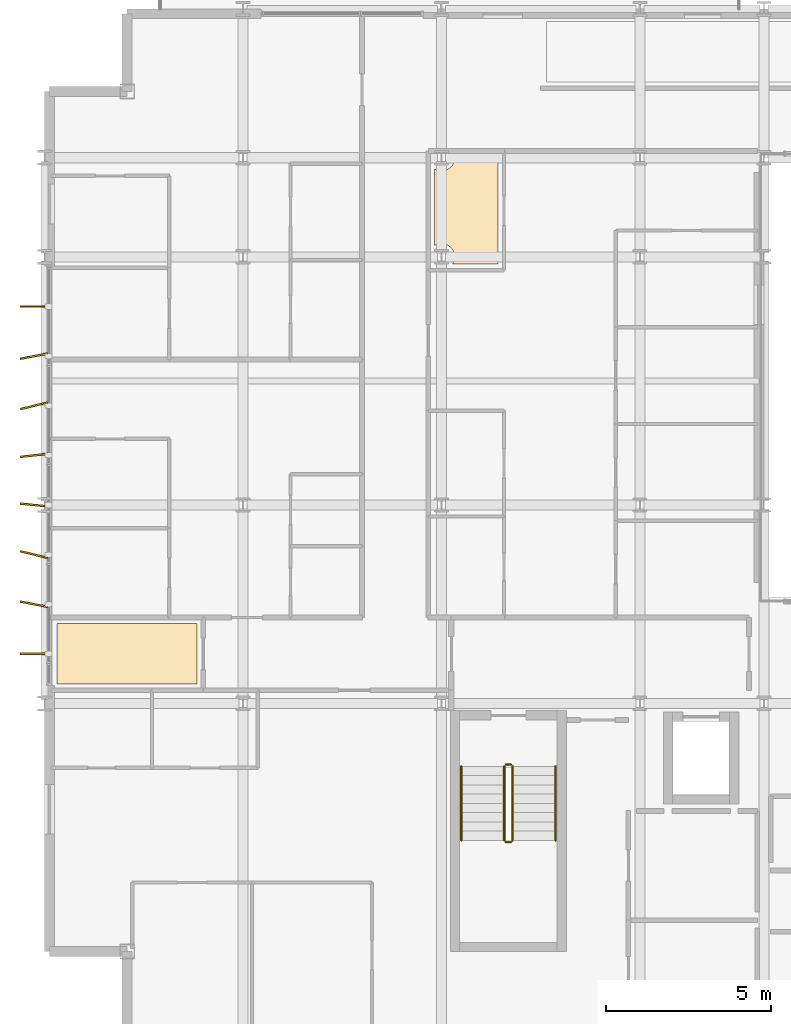
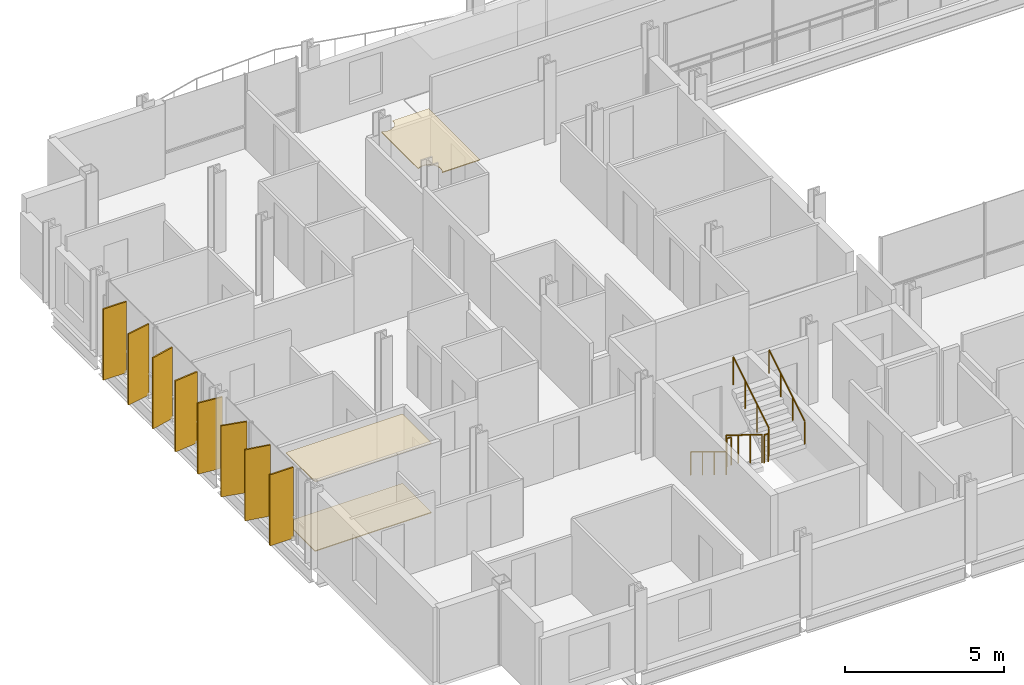
# One storey, part 35 of 38: 8 shading devices, 6 railings, 3 coverings.
"""IFC4 building model written with IfcOpenShell, lengths in metres."""

from ifc_helpers import new_model, si_unit, direction, frame, origin, origin_2d, place, context, subcontext, project, spatial, polyline, rectangle, circle, outline, extrude, material, layer, layer_set, type_object, element, save


model = new_model("IFC4")

# Units and contexts
model_context = context("Model", 3, precision=1e-05, world=origin(), true_north=direction((0.0, 1.0)))
body_context = subcontext(model_context, "Body", "Model", "MODEL_VIEW")
ifc_project = project(units=[si_unit("LENGTHUNIT", "METRE"), si_unit("AREAUNIT", "SQUARE_METRE"), si_unit("VOLUMEUNIT", "CUBIC_METRE"), si_unit("PLANEANGLEUNIT", "RADIAN"), si_unit("MASSUNIT", "GRAM", prefix="KILO")], contexts=[model_context])

# Site, building, storey
site_placement = place(None, origin())
site = spatial("IfcSite", under=ifc_project, at=site_placement, CompositionType="ELEMENT")
building_placement = place(site_placement, origin())
building = spatial("IfcBuilding", under=site, at=building_placement, Name="Brevholm Reach", CompositionType="ELEMENT")
storey_placement = place(building_placement, frame((0.0, 0.0, 65.199951171875)))
storey = spatial("IfcBuildingStorey", under=building, at=storey_placement, Name="L18", CompositionType="ELEMENT", Elevation=65.199951171875)

# Coverings
ifc_material_1 = material(Name="Moisture-Resistant Skimmed Gypsum Plasterboard Ceiling", Category="gypsum")
ifc_layer_1 = layer(ifc_material_1, 0.030029296875)
ifc_layer_set_1 = layer_set([ifc_layer_1], Name="Moisture-Resistant Skimmed Gypsum Plasterboard Ceiling")
covering_type_1 = type_object("IfcCoveringType", Name="COV-CLG-GYP", PredefinedType="CEILING", material=ifc_layer_set_1)
covering_1_placement = place(storey_placement, frame((0.0, 0.0, 2.670166015625)))
element("IfcCovering", 1, at=covering_1_placement, inside=storey, type_object=covering_type_1, Name="L18 Suspended Ceiling L18-33", PredefinedType="CEILING", context=body_context, shape_type="SweptSolid", body=[
    extrude(outline(polyline([(0.3798828125, 12.419921875), (4.615966796875, 12.419921875), (4.615966796875, 10.583984375), (0.3798828125, 10.583984375), (0.3798828125, 12.419921875)])), origin(), (0.0, 0.0, 1.0), 0.02978515625),
])
covering_2_placement = place(storey_placement, frame((0.0, 0.0, 2.670166015625)))
element("IfcCovering", 2, at=covering_2_placement, inside=storey, type_object=covering_type_1, Name="L18 Suspended Ceiling L18-53", PredefinedType="CEILING", context=body_context, shape_type="SweptSolid", body=[
    extrude(outline(polyline([(13.708984375, 23.280029296875), (12.333984375, 23.280029296875), (12.352783203125, 23.311279296875), (12.36962890625, 23.346923828125), (12.3828125, 23.3837890625), (12.392333984375, 23.422119140625), (12.398193359375, 23.460693359375), (12.39990234375, 23.5), (12.398193359375, 23.539306640625), (12.392333984375, 23.577880859375), (12.3828125, 23.6162109375), (12.36962890625, 23.653076171875), (12.352783203125, 23.688720703125), (12.33251953125, 23.72216796875), (12.30908203125, 23.75390625), (12.28271484375, 23.78271484375), (12.25390625, 23.80908203125), (12.22216796875, 23.83251953125), (12.188720703125, 23.852783203125), (12.153076171875, 23.86962890625), (12.1162109375, 23.8828125), (12.077880859375, 23.892333984375), (12.039306640625, 23.898193359375), (12.0, 23.89990234375), (11.960693359375, 23.898193359375), (11.922119140625, 23.892333984375), (11.8837890625, 23.8828125), (11.846923828125, 23.86962890625), (11.811279296875, 23.852783203125), (11.783935546875, 23.836181640625), (11.783935546875, 26.163818359375), (11.811279296875, 26.147216796875), (11.846923828125, 26.13037109375), (11.8837890625, 26.1171875), (11.922119140625, 26.107666015625), (11.960693359375, 26.101806640625), (12.0, 26.10009765625), (12.039306640625, 26.101806640625), (12.077880859375, 26.107666015625), (12.1162109375, 26.1171875), (12.153076171875, 26.13037109375), (12.188720703125, 26.147216796875), (12.22216796875, 26.16748046875), (12.25390625, 26.19091796875), (12.28271484375, 26.21728515625), (12.30908203125, 26.24609375), (12.33251953125, 26.27783203125), (12.352783203125, 26.311279296875), (12.36962890625, 26.346923828125), (12.3828125, 26.3837890625), (12.392333984375, 26.422119140625), (12.398193359375, 26.460693359375), (12.39990234375, 26.5), (12.399169921875, 26.51611328125), (13.708984375, 26.51611328125), (13.708984375, 23.280029296875)])), origin(), (0.0, 0.0, 1.0), 0.02978515625),
])
ifc_material_2 = material(Name="Honed Portland-Aggregate Resin Terrazzo Flooring", Category="concrete")
ifc_layer_2 = layer(ifc_material_2, 0.031982421875)
ifc_layer_set_2 = layer_set([ifc_layer_2], Name="Honed Portland-Aggregate Resin Terrazzo Flooring")
covering_type_2 = type_object("IfcCoveringType", Name="COV-FLR-TRZ", PredefinedType="FLOORING", material=ifc_layer_set_2)
covering_3_placement = place(storey_placement, origin())
element("IfcCovering", 3, at=covering_3_placement, inside=storey, type_object=covering_type_2, Name="L18 Floor Finish L18-33", PredefinedType="FLOORING", context=body_context, shape_type="SweptSolid", body=[
    extrude(outline(polyline([(0.3798828125, 12.419921875), (4.615966796875, 12.419921875), (4.615966796875, 10.583984375), (0.3798828125, 10.583984375), (0.3798828125, 12.419921875)])), origin(), (0.0, 0.0, 1.0), 0.031982421875),
])

# Railings
ifc_material_3 = material(Name="Brushed Stainless Steel EN 1.4401 Continuous Handrail", Category="steel")
railing_type_1 = type_object("IfcRailingType", Name="RAL-HND-950", PredefinedType="HANDRAIL", material=ifc_material_3)
railing_1_placement = place(storey_placement, frame((12.60009765625, 8.10009765625, 0.17236328125)))
element("IfcRailing", 4, at=railing_1_placement, inside=storey, type_object=railing_type_1, Name="L18 ST-1 stair handrail 1", PredefinedType="HANDRAIL", context=body_context, shape_type="SweptSolid", body=[
    extrude(circle(Radius=0.02392578125, at=origin_2d()), frame((0.0, 0.0, 0.8857421875), z_axis=(0.0, -0.85178898068, 0.523885037382), x_axis=(1.0, 0.0, 0.0)), (0.0, 0.0, 1.0), 2.629638671875),
    extrude(circle(Radius=0.02099609375, at=origin_2d()), origin(), (0.0, 0.0, 1.0), 0.86181640625),
    extrude(circle(Radius=0.02099609375, at=origin_2d()), frame((0.0, -0.74658203125, 0.459228515625)), (0.0, 0.0, 1.0), 0.86181640625),
    extrude(circle(Radius=0.02099609375, at=origin_2d()), frame((0.0, -1.493408203125, 0.91845703125)), (0.0, 0.0, 1.0), 0.86181640625),
    extrude(circle(Radius=0.02099609375, at=origin_2d()), frame((0.0, -2.239990234375, 1.377685546875)), (0.0, 0.0, 1.0), 0.86181640625),
])
railing_2_placement = place(storey_placement, frame((15.449951171875, 5.860107421875, 1.72216796875)))
element("IfcRailing", 5, at=railing_2_placement, inside=storey, type_object=railing_type_1, Name="L18 ST-1 stair handrail 2", PredefinedType="HANDRAIL", context=body_context, shape_type="SweptSolid", body=[
    extrude(circle(Radius=0.02392578125, at=origin_2d()), frame((0.0, 0.0, 0.8857421875), z_axis=(0.0, 0.851747552033, 0.523952390591), x_axis=(-1.0, 0.0, 0.0)), (0.0, 0.0, 1.0), 2.6298828125),
    extrude(circle(Radius=0.02099609375, at=origin_2d()), origin(), (0.0, 0.0, 1.0), 0.86181640625),
    extrude(circle(Radius=0.02099609375, at=origin_2d()), frame((0.0, 0.74658203125, 0.459228515625)), (0.0, 0.0, 1.0), 0.86181640625),
    extrude(circle(Radius=0.02099609375, at=origin_2d()), frame((0.0, 1.493408203125, 0.918701171875)), (0.0, 0.0, 1.0), 0.86181640625),
    extrude(circle(Radius=0.02099609375, at=origin_2d()), frame((0.0, 2.239990234375, 1.3779296875)), (0.0, 0.0, 1.0), 0.86181640625),
])
ifc_material_4 = material(Name="Painted Tubular Galvanised Steel S275JR Stair Guard", Category="steel")
railing_type_2 = type_object("IfcRailingType", Name="RAL-STG-1120", PredefinedType="BALUSTRADE", material=ifc_material_4)
railing_3_placement = place(storey_placement, frame((13.89990234375, 8.10009765625, 0.17236328125)))
element("IfcRailing", 6, at=railing_3_placement, inside=storey, type_object=railing_type_2, Name="L18 ST-1 stair guard 1", PredefinedType="BALUSTRADE", context=body_context, shape_type="SweptSolid", body=[
    extrude(circle(Radius=0.02392578125, at=origin_2d()), frame((0.0, 0.0, 1.076171875), z_axis=(0.0, -0.85178898068, 0.523885037382), x_axis=(1.0, 0.0, 0.0)), (0.0, 0.0, 1.0), 2.629638671875),
    extrude(circle(Radius=0.02099609375, at=origin_2d()), origin(), (0.0, 0.0, 1.0), 1.052001953125),
    extrude(circle(Radius=0.02099609375, at=origin_2d()), frame((0.0, -0.74658203125, 0.459228515625)), (0.0, 0.0, 1.0), 1.052001953125),
    extrude(circle(Radius=0.02099609375, at=origin_2d()), frame((0.0, -1.493408203125, 0.91845703125)), (0.0, 0.0, 1.0), 1.052001953125),
    extrude(circle(Radius=0.02099609375, at=origin_2d()), frame((0.0, -2.239990234375, 1.377685546875)), (0.0, 0.0, 1.0), 1.052001953125),
])
railing_4_placement = place(storey_placement, frame((13.949951171875, 5.81005859375, 1.550048828125)))
element("IfcRailing", 7, at=railing_4_placement, inside=storey, type_object=railing_type_2, Name="L18 ST-1 stair guard 2", PredefinedType="BALUSTRADE", context=body_context, shape_type="SweptSolid", body=[
    extrude(circle(Radius=0.02392578125, at=origin_2d()), frame((0.0, 0.0, 1.076171875), z_axis=(1.0, 0.0, 0.0), x_axis=(0.0, 1.0, 0.0)), (0.0, 0.0, 1.0), 0.150146484375),
    extrude(circle(Radius=0.02099609375, at=origin_2d()), origin(), (0.0, 0.0, 1.0), 1.052001953125),
    extrude(circle(Radius=0.02099609375, at=origin_2d()), frame((0.150146484375, 0.0, 0.0)), (0.0, 0.0, 1.0), 1.052001953125),
])
railing_5_placement = place(storey_placement, frame((14.14990234375, 5.860107421875, 1.72216796875)))
element("IfcRailing", 8, at=railing_5_placement, inside=storey, type_object=railing_type_2, Name="L18 ST-1 stair guard 3", PredefinedType="BALUSTRADE", context=body_context, shape_type="SweptSolid", body=[
    extrude(circle(Radius=0.02392578125, at=origin_2d()), frame((0.0, 0.0, 1.076171875), z_axis=(0.0, 0.851747552033, 0.523952390591), x_axis=(-1.0, 0.0, 0.0)), (0.0, 0.0, 1.0), 2.6298828125),
    extrude(circle(Radius=0.02099609375, at=origin_2d()), origin(), (0.0, 0.0, 1.0), 1.052001953125),
    extrude(circle(Radius=0.02099609375, at=origin_2d()), frame((0.0, 0.74658203125, 0.459228515625)), (0.0, 0.0, 1.0), 1.052001953125),
    extrude(circle(Radius=0.02099609375, at=origin_2d()), frame((0.0, 1.493408203125, 0.918701171875)), (0.0, 0.0, 1.0), 1.052001953125),
    extrude(circle(Radius=0.02099609375, at=origin_2d()), frame((0.0, 2.239990234375, 1.3779296875)), (0.0, 0.0, 1.0), 1.052001953125),
])
railing_6_placement = place(storey_placement, frame((13.949951171875, 8.14990234375, 0.0)))
element("IfcRailing", 9, at=railing_6_placement, inside=storey, type_object=railing_type_2, Name="L18 ST-1 stair guard 4", PredefinedType="BALUSTRADE", context=body_context, shape_type="SweptSolid", body=[
    extrude(circle(Radius=0.02392578125, at=origin_2d()), frame((0.0, 0.0, 1.076171875), z_axis=(1.0, 0.0, 0.0), x_axis=(0.0, 1.0, 0.0)), (0.0, 0.0, 1.0), 0.150146484375),
    extrude(circle(Radius=0.02099609375, at=origin_2d()), origin(), (0.0, 0.0, 1.0), 1.052001953125),
    extrude(circle(Radius=0.02099609375, at=origin_2d()), frame((0.150146484375, 0.0, 0.0)), (0.0, 0.0, 1.0), 1.052001953125),
])

# Shading devices
ifc_material_5 = material(Name="Perforated Champagne-Bronze Anodised Aluminium", Category="aluminium")
ifc_layer_3 = layer(ifc_material_5, 0.054931640625)
ifc_layer_set_3 = layer_set([ifc_layer_3], Name="Perforated Champagne-Bronze Anodised Aluminium")
shading_device_type = type_object("IfcShadingDeviceType", Name="SHD-FIN-850", PredefinedType="USERDEFINED", material=ifc_layer_set_3)
for number, where, z_axis, x_axis, name in (
    (10, (-0.31494140625, 11.5, 0.070068359375), (0.0, 0.0, 1.0), (-0.999991588763, 0.004101512243, 0.0), "L18 Perforated Solar Screen Fin 1"),
    (11, (-0.31494140625, 13.0, 0.070068359375), (0.0, 0.0, 1.0), (-0.981322893166, 0.19236782306, 0.0), "L18 Perforated Solar Screen Fin 2"),
    (12, (-0.31494140625, 14.5, 0.070068359375), (0.0, 0.0, 1.0), (-0.971981516898, 0.235057292609, 0.0), "L18 Perforated Solar Screen Fin 3"),
    (13, (-0.31494140625, 16.0, 0.070068359375), (0.0, 0.0, 1.0), (-0.994772555338, 0.102115440296, 0.0), "L18 Perforated Solar Screen Fin 4"),
    (14, (-0.31494140625, 17.5, 0.070068359375), (0.0, 0.0, 1.0), (-0.993987738933, -0.109491437339, 0.0), "L18 Perforated Solar Screen Fin 5"),
    (15, (-0.31494140625, 19.0, 0.070068359375), (0.0, 0.0, 1.0), (-0.971553253455, -0.236821189299, 0.0), "L18 Perforated Solar Screen Fin 6"),
    (16, (-0.31494140625, 20.5, 0.070068359375), (0.0, 0.0, 1.0), (-0.982297060645, -0.187329881889, 0.0), "L18 Perforated Solar Screen Fin 7"),
    (17, (-0.31494140625, 22.0, 0.070068359375), (0.0, 0.0, 1.0), (-0.999991588763, 0.004101512243, 0.0), "L18 Perforated Solar Screen Fin 8"),
):
    element("IfcShadingDevice", number, at=place(storey_placement, frame(where, z_axis=z_axis, x_axis=x_axis)), inside=storey, type_object=shading_device_type, Name=name, ObjectType="SCREEN", PredefinedType="USERDEFINED", context=body_context, shape_type="SweptSolid", body=[
        extrude(rectangle(XDim=0.85009765625, YDim=0.054931640625, at=origin_2d()), origin(), (0.0, 0.0, 1.0), 2.72998046875),
    ])

save(model, "model.ifc")
